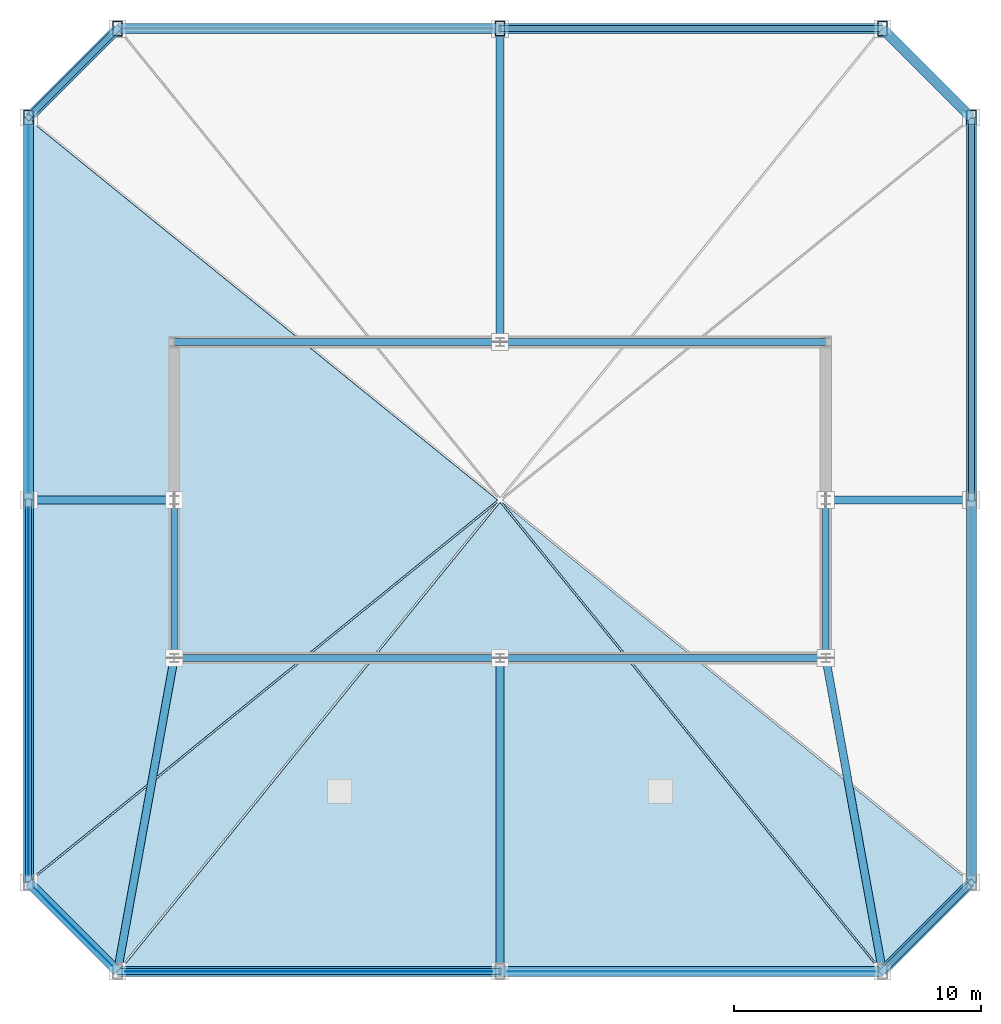
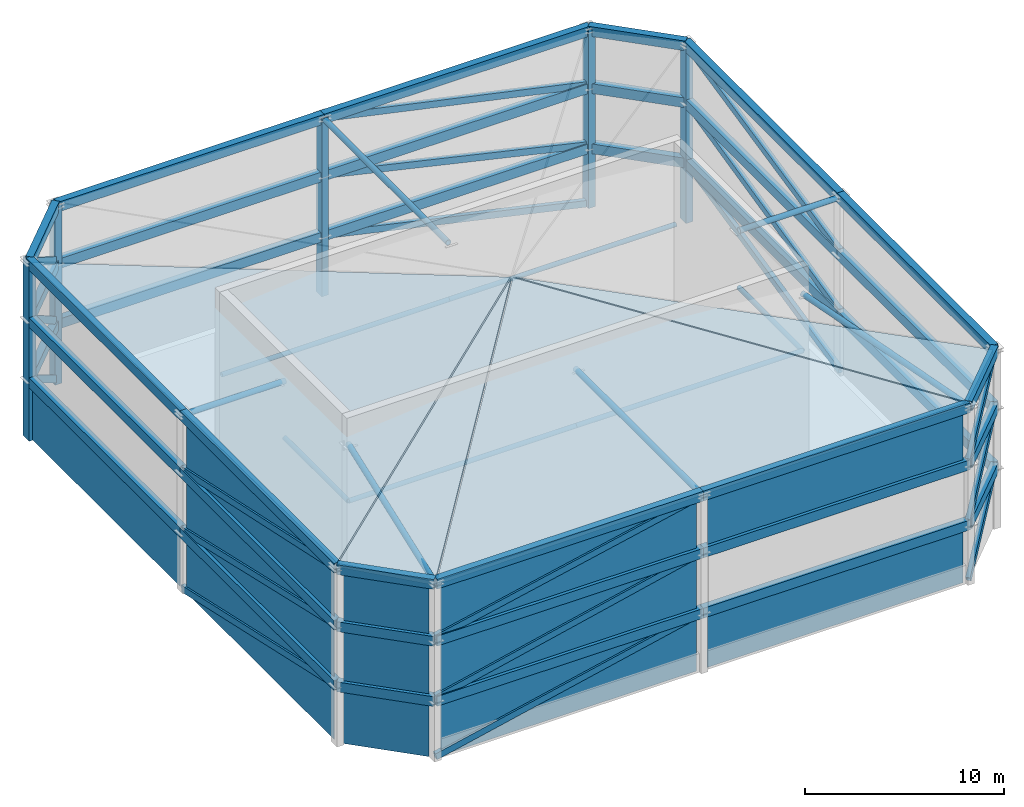
# One storey, part 3 of 6: 36 beams, 30 members, 12 plates, 5 columns, 4 slabs.
"""IFC4 building model written with IfcOpenShell, lengths in metres."""

import ifcopenshell
import ifcopenshell.guid

model = None  # the IFC model being written
_history = None  # IfcOwnerHistory: only IFC2X3 demands one
_inside = {}  # id of a spatial element -> (the spatial element, [elements in it])
_under = {}  # id of a project, library or spatial element -> (it, [spatial elements below it])
_declared = {}  # id of a project -> (the project, [libraries it declares])
_typed = {}  # id of a type object -> (the type object, [elements of that type])
_made_of = {}  # id of a material, layer set ... -> (it, [elements and type objects made of it])


def new_model(schema):
    """Start an empty IFC model of exactly this schema.

    Asked for "IFC4X3", IfcOpenShell would pick the latest addendum, in which some entities
    have other attributes; the version numbers below select the first issue.
    IFC2X3 requires an IfcOwnerHistory on every rooted entity: one is made here for all.
    """
    global model, _history
    if schema == "IFC4X3":
        model = ifcopenshell.file(schema_version=(4, 3, 0, 0))
    else:
        model = ifcopenshell.file(schema=schema)
    _inside.clear()
    _under.clear()
    _declared.clear()
    _typed.clear()
    _made_of.clear()
    _history = None
    if model.schema == "IFC2X3":
        org = make("IfcOrganization", Name="unknown")
        user = make(
            "IfcPersonAndOrganization",
            ThePerson=make("IfcPerson", FamilyName="unknown"),
            TheOrganization=org,
        )
        app = make(
            "IfcApplication",
            ApplicationDeveloper=org,
            Version="unknown",
            ApplicationFullName="unknown",
            ApplicationIdentifier="unknown",
        )
        _history = make(
            "IfcOwnerHistory",
            OwningUser=user,
            OwningApplication=app,
            ChangeAction="ADDED",
            CreationDate=0,
        )
    return model


def make(cls, **values):
    """One entity of the class cls with the attributes given. An attribute that is None is left unset."""
    return model.create_entity(
        cls, **{name: value for name, value in values.items() if value is not None}
    )


def rooted(cls, **values):
    """An entity with a GlobalId (a new one), such as an element, a storey or a relation."""
    return make(cls, GlobalId=ifcopenshell.guid.new(), OwnerHistory=_history, **values)


def si_unit(unit_type, name, prefix=None):
    """IfcSIUnit, for example si_unit("LENGTHUNIT", "METRE", prefix="MILLI")."""
    return make("IfcSIUnit", UnitType=unit_type, Prefix=prefix, Name=name)


def assignment(units):
    """IfcUnitAssignment: the units of a project."""
    return None if units is None else make("IfcUnitAssignment", Units=units)


def point(xyz):
    """IfcCartesianPoint."""
    return None if xyz is None else make("IfcCartesianPoint", Coordinates=xyz)


def direction(xyz):
    """IfcDirection."""
    return None if xyz is None else make("IfcDirection", DirectionRatios=xyz)


def frame(location, z_axis=None, x_axis=None):
    """IfcAxis2Placement3D, a coordinate frame: its origin and axes. An axis left out is left unset."""
    return make(
        "IfcAxis2Placement3D",
        Location=point(location),
        Axis=direction(z_axis),
        RefDirection=direction(x_axis),
    )


def frame_2d(location, x_axis=None):
    """IfcAxis2Placement2D, a coordinate frame in the plane: its origin and x axis."""
    return make(
        "IfcAxis2Placement2D", Location=point(location), RefDirection=direction(x_axis)
    )


def origin():
    """The frame at (0, 0, 0) with its axes left unset."""
    return frame((0.0, 0.0, 0.0))


def origin_2d():
    """The frame at (0, 0) in the plane with its x axis left unset."""
    return frame_2d((0.0, 0.0))


def place(relative_to, where):
    """IfcLocalPlacement: puts the frame where relative to a parent placement (None: the world)."""
    return make(
        "IfcLocalPlacement", PlacementRelTo=relative_to, RelativePlacement=where
    )


def context(
    kind, dimensions, precision=None, world=None, true_north=None, identifier=None
):
    """IfcGeometricRepresentationContext, for example the 3D "Model" context."""
    return make(
        "IfcGeometricRepresentationContext",
        ContextIdentifier=identifier,
        ContextType=kind,
        CoordinateSpaceDimension=dimensions,
        Precision=precision,
        WorldCoordinateSystem=world,
        TrueNorth=true_north,
    )


def subcontext(parent, identifier, kind, view, scale=None):
    """IfcGeometricRepresentationSubContext, for example "Body" below "Model"."""
    return make(
        "IfcGeometricRepresentationSubContext",
        ContextIdentifier=identifier,
        ContextType=kind,
        ParentContext=parent,
        TargetScale=scale,
        TargetView=view,
    )


def project(units=None, contexts=None):
    """IfcProject with its units and contexts."""
    return rooted(
        "IfcProject",
        Name="project",
        RepresentationContexts=contexts,
        UnitsInContext=assignment(units),
    )


def spatial(cls, under=None, at=None, **own):
    """A site, building, storey or space (cls), placed at a placement, below another one or the project."""
    s = rooted(cls, ObjectPlacement=at, **own)
    if under is not None:
        _under.setdefault(under.id(), (under, []))[1].append(s)
    return s


def polyline(points):
    """IfcPolyline through the points."""
    return make("IfcPolyline", Points=[point(p) for p in points])


def profile(cls, at=None, kind="AREA", **sizes):
    """A parametric profile (cls). Its sizes go by their IFC names, for example OverallWidth=200.0."""
    return make(cls, ProfileType=kind, Position=at, **sizes)


def rectangle(**sizes):
    """IfcRectangleProfileDef."""
    return profile("IfcRectangleProfileDef", **sizes)


def hollow_rectangle(**sizes):
    """IfcRectangleHollowProfileDef."""
    return profile("IfcRectangleHollowProfileDef", **sizes)


def hollow_circle(**sizes):
    """IfcCircleHollowProfileDef."""
    return profile("IfcCircleHollowProfileDef", **sizes)


def outline(outer, holes=None, kind="AREA"):
    """IfcArbitraryClosedProfileDef: a profile drawn as a closed curve; with holes, ...WithVoids."""
    if holes is None:
        return make("IfcArbitraryClosedProfileDef", ProfileType=kind, OuterCurve=outer)
    return make(
        "IfcArbitraryProfileDefWithVoids",
        ProfileType=kind,
        OuterCurve=outer,
        InnerCurves=holes,
    )


def extrude(swept, where, along, depth):
    """IfcExtrudedAreaSolid: the profile swept, set in the frame where, extruded along a direction by depth."""
    return make(
        "IfcExtrudedAreaSolid",
        SweptArea=swept,
        Position=where,
        ExtrudedDirection=direction(along),
        Depth=depth,
    )


def shape(context_of_items, identifier, shape_type, items):
    """IfcShapeRepresentation: the items that make up one representation, for example the "Body"."""
    return make(
        "IfcShapeRepresentation",
        ContextOfItems=context_of_items,
        RepresentationIdentifier=identifier,
        RepresentationType=shape_type,
        Items=items,
    )


def source(mapping_origin, context_of_items, identifier, shape_type, items):
    """IfcRepresentationMap: a shape defined once, which mapped items show again and again."""
    return make(
        "IfcRepresentationMap",
        MappingOrigin=mapping_origin,
        MappedRepresentation=shape(context_of_items, identifier, shape_type, items),
    )


def transform(
    local_origin,
    x_axis=None,
    y_axis=None,
    z_axis=None,
    scale=None,
    scale2=None,
    scale3=None,
    uniform=True,
):
    """IfcCartesianTransformationOperator3D, or its non-uniform kind. x_axis, y_axis, z_axis: its Axis1, 2, 3."""
    if uniform:
        return make(
            "IfcCartesianTransformationOperator3D",
            Axis1=direction(x_axis),
            Axis2=direction(y_axis),
            LocalOrigin=point(local_origin),
            Scale=scale,
            Axis3=direction(z_axis),
        )
    return make(
        "IfcCartesianTransformationOperator3DnonUniform",
        Axis1=direction(x_axis),
        Axis2=direction(y_axis),
        LocalOrigin=point(local_origin),
        Scale=scale,
        Axis3=direction(z_axis),
        Scale2=scale2,
        Scale3=scale3,
    )


def mapped(mapping_source, mapping_target):
    """IfcMappedItem: shows the shape of a source again, moved by a transform."""
    return make(
        "IfcMappedItem", MappingSource=mapping_source, MappingTarget=mapping_target
    )


def material(Name=None, Category=None):
    """IfcMaterial."""
    return make("IfcMaterial", Name=Name, Category=Category)


def layer(
    of_material, thickness, ventilated=None, Name=None, Category=None, Priority=None
):
    """IfcMaterialLayer: one layer of a wall or slab, of a material (None: an air gap)."""
    return make(
        "IfcMaterialLayer",
        Material=of_material,
        LayerThickness=thickness,
        IsVentilated=ventilated,
        Name=Name,
        Category=Category,
        Priority=Priority,
    )


def layer_set(layers, Name=None):
    """IfcMaterialLayerSet."""
    return make("IfcMaterialLayerSet", MaterialLayers=layers, LayerSetName=Name)


def material_profile(
    of_material, cross_section, Name=None, Category=None, Priority=None
):
    """IfcMaterialProfile: a cross section and its material."""
    return make(
        "IfcMaterialProfile",
        Name=Name,
        Material=of_material,
        Profile=cross_section,
        Priority=Priority,
        Category=Category,
    )


def profile_set(profiles, Name=None, composite=None):
    """IfcMaterialProfileSet."""
    return make(
        "IfcMaterialProfileSet",
        Name=Name,
        MaterialProfiles=profiles,
        CompositeProfile=composite,
    )


def made_of(thing, what):
    """Note that an element or type object is made of a material, layer set ...; save() writes the relation."""
    if what is not None:
        _made_of.setdefault(what.id(), (what, []))[1].append(thing)
    return thing


def type_object(cls, material=None, **own):
    """A type object (cls), such as IfcWallType, which elements share."""
    return made_of(rooted(cls, **own), material)


def element(
    cls,
    number,
    at=None,
    inside=None,
    cuts=None,
    type_object=None,
    material=None,
    context=None,
    identifier="Body",
    shape_type=None,
    held_by="IfcProductDefinitionShape",
    body=None,
    shapes=None,
    **own,
):
    """One element of the class cls, such as IfcWall. Its Tag is "e" and its number.

    at: its placement. inside: the storey or other place that contains it. cuts: it is an
    opening in that element (IfcRelVoidsElement). A single representation is given by context,
    identifier, shape_type and body (its items); several are given by shapes. held_by: the class
    of the entity that holds the representations. save() writes the other relations.
    """
    e = rooted(cls, Tag="e%d" % number, ObjectPlacement=at, **own)
    if body is not None:
        shapes = [shape(context, identifier, shape_type, body)]
    if shapes is not None:
        e.Representation = make(held_by, Representations=shapes)
    if inside is not None:
        _inside.setdefault(inside.id(), (inside, []))[1].append(e)
    if cuts is not None:
        rooted(
            "IfcRelVoidsElement", RelatingBuildingElement=cuts, RelatedOpeningElement=e
        )
    if type_object is not None:
        _typed.setdefault(type_object.id(), (type_object, []))[1].append(e)
    return made_of(e, material)


def aggregate(whole, parts):
    """IfcRelAggregates: a whole, such as a stair, and the parts it consists of."""
    return rooted("IfcRelAggregates", RelatingObject=whole, RelatedObjects=parts)


def save(model, path):
    """Write the relations noted so far, then the file.

    IfcRelAggregates (storeys below a building ...), IfcRelContainedInSpatialStructure (elements
    in a storey), IfcRelDefinesByType, IfcRelAssociatesMaterial and IfcRelDeclares: one each for
    every whole, place, type object, material and project.
    """
    for whole, parts in _under.values():
        aggregate(whole, parts)
    for where, things in _inside.values():
        rooted(
            "IfcRelContainedInSpatialStructure",
            RelatedElements=things,
            RelatingStructure=where,
        )
    for kind, things in _typed.values():
        rooted("IfcRelDefinesByType", RelatedObjects=things, RelatingType=kind)
    for what, things in _made_of.values():
        rooted("IfcRelAssociatesMaterial", RelatedObjects=things, RelatingMaterial=what)
    for by, libraries in _declared.values():
        rooted("IfcRelDeclares", RelatingContext=by, RelatedDefinitions=libraries)
    model.write(path)


model = new_model("IFC4")

# Units and contexts
model_context = context("Model", 3, precision=1e-05, world=origin(), true_north=direction((0.0, 1.0)))
body_context = subcontext(model_context, "Body", "Model", "MODEL_VIEW")
ifc_project = project(units=[si_unit("LENGTHUNIT", "METRE"), si_unit("AREAUNIT", "SQUARE_METRE"), si_unit("VOLUMEUNIT", "CUBIC_METRE"), si_unit("PLANEANGLEUNIT", "RADIAN"), si_unit("MASSUNIT", "GRAM", prefix="KILO"), si_unit("THERMODYNAMICTEMPERATUREUNIT", "KELVIN"), si_unit("POWERUNIT", "WATT")], contexts=[model_context])

# Site, building, storey
site_placement = place(None, origin())
site = spatial("IfcSite", under=ifc_project, at=site_placement, CompositionType="ELEMENT")
building_placement = place(site_placement, origin())
building = spatial("IfcBuilding", under=site, at=building_placement, Name="Yuzanri Waterfront Tower", CompositionType="ELEMENT")
storey_placement = place(building_placement, frame((0.0, 0.0, 363.800048828125)))
storey = spatial("IfcBuildingStorey", under=building, at=storey_placement, Name="RF", CompositionType="ELEMENT", Elevation=363.800048828125)

# Columns
ifc_material_1 = material(Name="Steel Q355B", Category="steel")
ifc_material_profile_1 = material_profile(ifc_material_1, hollow_rectangle(XDim=0.39990234375, YDim=0.60009765625, WallThickness=0.02392578125, at=origin_2d()), Name="RHS 600x400x24")
ifc_profile_set_1 = profile_set([ifc_material_profile_1], Name="Steel Q355B")
column_type = type_object("IfcColumnType", Name="Crown Frame Post Q355B RHS 600x400x24", PredefinedType="COLUMN", material=ifc_profile_set_1)
shared_shape_1 = source(origin(), body_context, "Body", "SweptSolid", [
    extrude(hollow_rectangle(XDim=0.39990234375, YDim=0.60009765625, WallThickness=0.02392578125, at=origin_2d()), origin(), (0.0, 0.0, 1.0), 11.0),
])
for number, where, z_axis, x_axis, name in (
    (1, (56.10009765625, 41.300048828125, 0.0), (0.0, 0.0, 1.0), (1.0, 0.0, 0.0), "RF CROWN FRAME Perimeter Post CE3"),
    (2, (52.5, 44.89990234375, 0.0), (0.0, 0.0, 1.0), (1.0, 0.0, 0.0), "RF CROWN FRAME Perimeter Post CN3"),
    (3, (37.0, 44.89990234375, 0.0), (0.0, 0.0, 1.0), (1.0, 0.0, 0.0), "RF CROWN FRAME Perimeter Post CN2"),
    (4, (21.5, 44.89990234375, 0.0), (0.0, 0.0, 1.0), (1.0, 0.0, 0.0), "RF CROWN FRAME Perimeter Post CN1"),
    (5, (17.89990234375, 41.300048828125, 0.0), (0.0, 0.0, 1.0), (1.0, 0.0, 0.0), "RF CROWN FRAME Perimeter Post CW3"),
):
    element("IfcColumn", number, at=place(storey_placement, frame(where, z_axis=z_axis, x_axis=x_axis)), inside=storey, type_object=column_type, Name=name, PredefinedType="COLUMN", context=body_context, shape_type="MappedRepresentation", body=[
        mapped(shared_shape_1, transform((0.0, 0.0, 0.0), scale=1.0)),
    ])

# Beams
ifc_material_2 = material(Name="Steel Q355B", Category="steel")
ifc_material_profile_2 = material_profile(ifc_material_2, hollow_rectangle(XDim=0.39990234375, YDim=0.60009765625, WallThickness=0.02392578125, at=origin_2d()), Name="RHS 600x400x24")
ifc_profile_set_2 = profile_set([ifc_material_profile_2], Name="Steel Q355B")
beam_type = type_object("IfcBeamType", Name="Crown Frame Ring Beam Q355B RHS 600x400x24", PredefinedType="BEAM", material=ifc_profile_set_2)
shared_shape_2 = source(origin(), body_context, "Body", "SweptSolid", [
    extrude(hollow_rectangle(XDim=0.39990234375, YDim=0.60009765625, WallThickness=0.02392578125, at=origin_2d()), origin(), (0.0, 0.0, 1.0), 15.5),
])
for number, where, z_axis, x_axis, name in (
    (6, (21.5, 6.699951171875, 3.599853515625), (1.0, 0.0, 0.0), (0.0, 1.0, 0.0), "RF CROWN FRAME Ring Chord Tier 1 CS1-CS2"),
    (7, (37.0, 6.699951171875, 3.599853515625), (1.0, 0.0, 0.0), (0.0, 1.0, 0.0), "RF CROWN FRAME Ring Chord Tier 1 CS2-CS3"),
    (8, (56.10009765625, 10.300048828125, 3.599853515625), (0.0, 1.0, 0.0), (-1.0, 0.0, 0.0), "RF CROWN FRAME Ring Chord Tier 1 CE1-CE2"),
    (9, (56.10009765625, 25.800048828125, 3.599853515625), (0.0, 1.0, 0.0), (-1.0, 0.0, 0.0), "RF CROWN FRAME Ring Chord Tier 1 CE2-CE3"),
    (10, (52.5, 44.89990234375, 3.599853515625), (-1.0, 0.0, 0.0), (0.0, -1.0, 0.0), "RF CROWN FRAME Ring Chord Tier 1 CN3-CN2"),
    (11, (37.0, 44.89990234375, 3.599853515625), (-1.0, 0.0, 0.0), (0.0, -1.0, 0.0), "RF CROWN FRAME Ring Chord Tier 1 CN2-CN1"),
    (12, (17.89990234375, 41.300048828125, 3.599853515625), (0.0, -1.0, 0.0), (1.0, 0.0, 0.0), "RF CROWN FRAME Ring Chord Tier 1 CW3-CW2"),
    (13, (17.89990234375, 25.800048828125, 3.599853515625), (0.0, -1.0, 0.0), (1.0, 0.0, 0.0), "RF CROWN FRAME Ring Chord Tier 1 CW2-CW1"),
    (14, (21.5, 6.699951171875, 7.300048828125), (1.0, 0.0, 0.0), (0.0, 1.0, 0.0), "RF CROWN FRAME Ring Chord Tier 2 CS1-CS2"),
    (15, (37.0, 6.699951171875, 7.300048828125), (1.0, 0.0, 0.0), (0.0, 1.0, 0.0), "RF CROWN FRAME Ring Chord Tier 2 CS2-CS3"),
    (16, (56.10009765625, 10.300048828125, 7.300048828125), (0.0, 1.0, 0.0), (-1.0, 0.0, 0.0), "RF CROWN FRAME Ring Chord Tier 2 CE1-CE2"),
    (17, (56.10009765625, 25.800048828125, 7.300048828125), (0.0, 1.0, 0.0), (-1.0, 0.0, 0.0), "RF CROWN FRAME Ring Chord Tier 2 CE2-CE3"),
    (18, (52.5, 44.89990234375, 7.300048828125), (-1.0, 0.0, 0.0), (0.0, -1.0, 0.0), "RF CROWN FRAME Ring Chord Tier 2 CN3-CN2"),
    (19, (37.0, 44.89990234375, 7.300048828125), (-1.0, 0.0, 0.0), (0.0, -1.0, 0.0), "RF CROWN FRAME Ring Chord Tier 2 CN2-CN1"),
    (20, (17.89990234375, 41.300048828125, 7.300048828125), (0.0, -1.0, 0.0), (1.0, 0.0, 0.0), "RF CROWN FRAME Ring Chord Tier 2 CW3-CW2"),
    (21, (17.89990234375, 25.800048828125, 7.300048828125), (0.0, -1.0, 0.0), (1.0, 0.0, 0.0), "RF CROWN FRAME Ring Chord Tier 2 CW2-CW1"),
    (22, (21.5, 6.699951171875, 10.800048828125), (1.0, 0.0, 0.0), (0.0, 1.0, 0.0), "RF CROWN FRAME Ring Chord Tier 3 CS1-CS2"),
    (23, (37.0, 6.699951171875, 10.800048828125), (1.0, 0.0, 0.0), (0.0, 1.0, 0.0), "RF CROWN FRAME Ring Chord Tier 3 CS2-CS3"),
    (24, (56.10009765625, 10.300048828125, 10.800048828125), (0.0, 1.0, 0.0), (-1.0, 0.0, 0.0), "RF CROWN FRAME Ring Chord Tier 3 CE1-CE2"),
    (25, (56.10009765625, 25.800048828125, 10.800048828125), (0.0, 1.0, 0.0), (-1.0, 0.0, 0.0), "RF CROWN FRAME Ring Chord Tier 3 CE2-CE3"),
    (26, (52.5, 44.89990234375, 10.800048828125), (-1.0, 0.0, 0.0), (0.0, -1.0, 0.0), "RF CROWN FRAME Ring Chord Tier 3 CN3-CN2"),
    (27, (37.0, 44.89990234375, 10.800048828125), (-1.0, 0.0, 0.0), (0.0, -1.0, 0.0), "RF CROWN FRAME Ring Chord Tier 3 CN2-CN1"),
    (28, (17.89990234375, 41.300048828125, 10.800048828125), (0.0, -1.0, 0.0), (1.0, 0.0, 0.0), "RF CROWN FRAME Ring Chord Tier 3 CW3-CW2"),
    (29, (17.89990234375, 25.800048828125, 10.800048828125), (0.0, -1.0, 0.0), (1.0, 0.0, 0.0), "RF CROWN FRAME Ring Chord Tier 3 CW2-CW1"),
):
    element("IfcBeam", number, at=place(storey_placement, frame(where, z_axis=z_axis, x_axis=x_axis)), inside=storey, type_object=beam_type, Name=name, PredefinedType="BEAM", context=body_context, shape_type="MappedRepresentation", body=[
        mapped(shared_shape_2, transform((0.0, 0.0, 0.0), scale=1.0)),
    ])
shared_shape_3 = source(origin(), body_context, "Body", "SweptSolid", [
    extrude(hollow_rectangle(XDim=0.39990234375, YDim=0.60009765625, WallThickness=0.02392578125, at=origin_2d()), origin(), (0.0, 0.0, 1.0), 5.09130859375),
])
for number, where, z_axis, x_axis, name in (
    (30, (52.5, 6.699951171875, 3.599853515625), (0.707106781187, 0.707106781187, 0.0), (-0.707106781187, 0.707106781187, 0.0), "RF CROWN FRAME Ring Chord Tier 1 CS3-CE1"),
    (31, (17.89990234375, 10.300048828125, 3.599853515625), (0.707106781187, -0.707106781187, 0.0), (0.707106781187, 0.707106781187, 0.0), "RF CROWN FRAME Ring Chord Tier 1 CW1-CS1"),
    (32, (52.5, 6.699951171875, 7.300048828125), (0.707106781187, 0.707106781187, 0.0), (-0.707106781187, 0.707106781187, 0.0), "RF CROWN FRAME Ring Chord Tier 2 CS3-CE1"),
    (33, (17.89990234375, 10.300048828125, 7.300048828125), (0.707106781187, -0.707106781187, 0.0), (0.707106781187, 0.707106781187, 0.0), "RF CROWN FRAME Ring Chord Tier 2 CW1-CS1"),
    (34, (52.5, 6.699951171875, 10.800048828125), (0.707106781187, 0.707106781187, 0.0), (-0.707106781187, 0.707106781187, 0.0), "RF CROWN FRAME Ring Chord Tier 3 CS3-CE1"),
    (35, (17.89990234375, 10.300048828125, 10.800048828125), (0.707106781187, -0.707106781187, 0.0), (0.707106781187, 0.707106781187, 0.0), "RF CROWN FRAME Ring Chord Tier 3 CW1-CS1"),
):
    element("IfcBeam", number, at=place(storey_placement, frame(where, z_axis=z_axis, x_axis=x_axis)), inside=storey, type_object=beam_type, Name=name, PredefinedType="BEAM", context=body_context, shape_type="MappedRepresentation", body=[
        mapped(shared_shape_3, transform((0.0, 0.0, 0.0), scale=1.0)),
    ])
shared_shape_4 = source(origin(), body_context, "Body", "SweptSolid", [
    extrude(hollow_rectangle(XDim=0.39990234375, YDim=0.60009765625, WallThickness=0.02392578125, at=origin_2d()), origin(), (0.0, 0.0, 1.0), 5.091064453125),
])
for number, where, z_axis, x_axis, name in (
    (36, (56.10009765625, 41.300048828125, 3.599853515625), (-0.707130757816, 0.707082803744, 0.0), (-0.707082803744, -0.707130757816, 0.0), "RF CROWN FRAME Ring Chord Tier 1 CE3-CN3"),
    (37, (21.5, 44.89990234375, 3.599853515625), (-0.707130757816, -0.707082803744, 0.0), (0.707082803744, -0.707130757816, 0.0), "RF CROWN FRAME Ring Chord Tier 1 CN1-CW3"),
    (38, (56.10009765625, 41.300048828125, 7.300048828125), (-0.707130757816, 0.707082803744, 0.0), (-0.707082803744, -0.707130757816, 0.0), "RF CROWN FRAME Ring Chord Tier 2 CE3-CN3"),
    (39, (21.5, 44.89990234375, 7.300048828125), (-0.707130757816, -0.707082803744, 0.0), (0.707082803744, -0.707130757816, 0.0), "RF CROWN FRAME Ring Chord Tier 2 CN1-CW3"),
    (40, (56.10009765625, 41.300048828125, 10.800048828125), (-0.707130757816, 0.707082803744, 0.0), (-0.707082803744, -0.707130757816, 0.0), "RF CROWN FRAME Ring Chord Tier 3 CE3-CN3"),
    (41, (21.5, 44.89990234375, 10.800048828125), (-0.707130757816, -0.707082803744, 0.0), (0.707082803744, -0.707130757816, 0.0), "RF CROWN FRAME Ring Chord Tier 3 CN1-CW3"),
):
    element("IfcBeam", number, at=place(storey_placement, frame(where, z_axis=z_axis, x_axis=x_axis)), inside=storey, type_object=beam_type, Name=name, PredefinedType="BEAM", context=body_context, shape_type="MappedRepresentation", body=[
        mapped(shared_shape_4, transform((0.0, 0.0, 0.0), scale=1.0)),
    ])

# Members
ifc_material_3 = material(Name="Steel Q355B", Category="steel")
ifc_material_profile_3 = material_profile(ifc_material_3, hollow_circle(Radius=0.16259765625, WallThickness=0.011962890625, at=origin_2d()), Name="CHS 325x12")
ifc_profile_set_3 = profile_set([ifc_material_profile_3], Name="Steel Q355B")
member_type_1 = type_object("IfcMemberType", Name="Crown Radial Strut Q355B CHS 325x12", PredefinedType="STRUT", material=ifc_profile_set_3)
shared_shape_5 = source(origin(), body_context, "Body", "SweptSolid", [
    extrude(hollow_circle(Radius=0.16259765625, WallThickness=0.011962890625, at=origin_2d()), origin(), (0.0, 0.0, 1.0), 12.699951171875),
])
for number, where, z_axis, x_axis, name in (
    (42, (37.0, 6.699951171875, 10.800048828125), (0.0, 1.0, 0.0), (-1.0, 0.0, 0.0), "RF CROWN FRAME Radial Strut S"),
    (43, (37.0, 44.89990234375, 10.800048828125), (0.0, -1.0, 0.0), (1.0, 0.0, 0.0), "RF CROWN FRAME Radial Strut N"),
):
    element("IfcMember", number, at=place(storey_placement, frame(where, z_axis=z_axis, x_axis=x_axis)), inside=storey, type_object=member_type_1, Name=name, PredefinedType="STRUT", context=body_context, shape_type="MappedRepresentation", body=[
        mapped(shared_shape_5, transform((0.0, 0.0, 0.0), scale=1.0)),
    ])
shared_shape_6 = source(origin(), body_context, "Body", "SweptSolid", [
    extrude(hollow_circle(Radius=0.16259765625, WallThickness=0.011962890625, at=origin_2d()), origin(), (0.0, 0.0, 1.0), 5.900146484375),
])
for number, where, z_axis, x_axis, name in (
    (44, (17.89990234375, 25.800048828125, 10.800048828125), (1.0, 0.0, 0.0), (0.0, 1.0, 0.0), "RF CROWN FRAME Radial Strut W"),
    (45, (56.10009765625, 25.800048828125, 10.800048828125), (-1.0, 0.0, 0.0), (0.0, -1.0, 0.0), "RF CROWN FRAME Radial Strut E"),
):
    element("IfcMember", number, at=place(storey_placement, frame(where, z_axis=z_axis, x_axis=x_axis)), inside=storey, type_object=member_type_1, Name=name, PredefinedType="STRUT", context=body_context, shape_type="MappedRepresentation", body=[
        mapped(shared_shape_6, transform((0.0, 0.0, 0.0), scale=1.0)),
    ])
shared_shape_7 = source(origin(), body_context, "Body", "SweptSolid", [
    extrude(hollow_circle(Radius=0.16259765625, WallThickness=0.011962890625, at=origin_2d()), origin(), (0.0, 0.0, 1.0), 12.906494140625),
])
for number, where, z_axis, x_axis, name in (
    (46, (21.5, 6.699951171875, 10.800048828125), (0.178207899331, 0.983992858011, 0.0), (-0.983992858011, 0.178207899331, 0.0), "RF CROWN FRAME Radial Strut SW"),
    (47, (52.5, 6.699951171875, 10.800048828125), (-0.178207899331, 0.983992858011, 0.0), (-0.983992858011, -0.178207899331, 0.0), "RF CROWN FRAME Radial Strut SE"),
):
    element("IfcMember", number, at=place(storey_placement, frame(where, z_axis=z_axis, x_axis=x_axis)), inside=storey, type_object=member_type_1, Name=name, PredefinedType="STRUT", context=body_context, shape_type="MappedRepresentation", body=[
        mapped(shared_shape_7, transform((0.0, 0.0, 0.0), scale=1.0)),
    ])
ifc_material_4 = material(Name="Steel Q355B", Category="steel")
ifc_material_profile_4 = material_profile(ifc_material_4, hollow_rectangle(XDim=0.25, YDim=0.39990234375, WallThickness=0.01611328125, at=origin_2d()), Name="RHS 400x250x16")
ifc_profile_set_4 = profile_set([ifc_material_profile_4], Name="Steel Q355B")
member_type_2 = type_object("IfcMemberType", Name="Crown Frame Diagonal Q355B RHS 400x250x16", PredefinedType="USERDEFINED", material=ifc_profile_set_4)
shared_shape_8 = source(origin(), body_context, "Body", "SweptSolid", [
    extrude(hollow_rectangle(XDim=0.25, YDim=0.39990234375, WallThickness=0.01611328125, at=origin_2d()), origin(), (0.0, 0.0, 1.0), 15.87939453125),
])
for number, where, z_axis, x_axis, name in (
    (48, (21.5, 6.699951171875, 0.14990234375), (0.976113567098, 0.0, 0.217260912561), (0.0, 1.0, 0.0), "RF CROWN FRAME Diagonal Tier 1 CS1"),
    (49, (56.10009765625, 25.800048828125, 0.14990234375), (0.0, 0.976113567098, 0.217260912561), (-1.0, 0.0, 0.0), "RF CROWN FRAME Diagonal Tier 1 CE2"),
    (50, (52.5, 44.89990234375, 0.14990234375), (-0.976113567098, 0.0, 0.217260912561), (0.0, -1.0, 0.0), "RF CROWN FRAME Diagonal Tier 1 CN3"),
    (51, (17.89990234375, 25.800048828125, 0.14990234375), (0.0, -0.976113567098, 0.217260912561), (1.0, 0.0, 0.0), "RF CROWN FRAME Diagonal Tier 1 CW2"),
):
    element("IfcMember", number, at=place(storey_placement, frame(where, z_axis=z_axis, x_axis=x_axis)), inside=storey, type_object=member_type_2, Name=name, ObjectType="CROWN FRAME", PredefinedType="USERDEFINED", context=body_context, shape_type="MappedRepresentation", body=[
        mapped(shared_shape_8, transform((0.0, 0.0, 0.0), scale=1.0)),
    ])
shared_shape_9 = source(origin(), body_context, "Body", "SweptSolid", [
    extrude(hollow_rectangle(XDim=0.25, YDim=0.39990234375, WallThickness=0.01611328125, at=origin_2d()), origin(), (0.0, 0.0, 1.0), 6.150146484375),
])
member_1_placement = place(storey_placement, frame((52.5, 6.699951171875, 0.14990234375), z_axis=(0.585373457636, 0.585373457636, 0.560959740259), x_axis=(-0.707106781187, 0.707106781187, 0.0)))
element("IfcMember", 52, at=member_1_placement, inside=storey, type_object=member_type_2, Name="RF CROWN FRAME Diagonal Tier 1 CS3", ObjectType="CROWN FRAME", PredefinedType="USERDEFINED", context=body_context, shape_type="MappedRepresentation", body=[
    mapped(shared_shape_9, transform((0.0, 0.0, 0.0), scale=1.0)),
])
shared_shape_10 = source(origin(), body_context, "Body", "SweptSolid", [
    extrude(hollow_rectangle(XDim=0.25, YDim=0.39990234375, WallThickness=0.01611328125, at=origin_2d()), origin(), (0.0, 0.0, 1.0), 6.14990234375),
])
member_2_placement = place(storey_placement, frame((21.5, 44.89990234375, 0.14990234375), z_axis=(-0.58538706034, -0.585347362316, 0.560972775645), x_axis=(0.707082803744, -0.707130757816, 0.0)))
element("IfcMember", 53, at=member_2_placement, inside=storey, type_object=member_type_2, Name="RF CROWN FRAME Diagonal Tier 1 CN1", ObjectType="CROWN FRAME", PredefinedType="USERDEFINED", context=body_context, shape_type="MappedRepresentation", body=[
    mapped(shared_shape_10, transform((0.0, 0.0, 0.0), scale=1.0)),
])
shared_shape_11 = source(origin(), body_context, "Body", "SweptSolid", [
    extrude(hollow_rectangle(XDim=0.25, YDim=0.39990234375, WallThickness=0.01611328125, at=origin_2d()), origin(), (0.0, 0.0, 1.0), 15.9013671875),
])
for number, where, z_axis, x_axis, name in (
    (54, (21.5, 6.699951171875, 3.75), (0.974760168764, 0.0, 0.223254593214), (0.0, 1.0, 0.0), "RF CROWN FRAME Diagonal Tier 2 CS1"),
    (55, (56.10009765625, 25.800048828125, 3.75), (0.0, 0.974760168764, 0.223254593214), (-1.0, 0.0, 0.0), "RF CROWN FRAME Diagonal Tier 2 CE2"),
    (56, (52.5, 44.89990234375, 3.75), (-0.974760168764, 0.0, 0.223254593214), (0.0, -1.0, 0.0), "RF CROWN FRAME Diagonal Tier 2 CN3"),
    (57, (17.89990234375, 25.800048828125, 3.75), (0.0, -0.974760168764, 0.223254593214), (1.0, 0.0, 0.0), "RF CROWN FRAME Diagonal Tier 2 CW2"),
):
    element("IfcMember", number, at=place(storey_placement, frame(where, z_axis=z_axis, x_axis=x_axis)), inside=storey, type_object=member_type_2, Name=name, ObjectType="CROWN FRAME", PredefinedType="USERDEFINED", context=body_context, shape_type="MappedRepresentation", body=[
        mapped(shared_shape_11, transform((0.0, 0.0, 0.0), scale=1.0)),
    ])
shared_shape_12 = source(origin(), body_context, "Body", "SweptSolid", [
    extrude(hollow_rectangle(XDim=0.25, YDim=0.39990234375, WallThickness=0.01611328125, at=origin_2d()), origin(), (0.0, 0.0, 1.0), 6.206787109375),
])
member_3_placement = place(storey_placement, frame((52.5, 6.699951171875, 3.75), z_axis=(0.580025608957, 0.580025608957, 0.571962049359), x_axis=(-0.707106781187, 0.707106781187, 0.0)))
element("IfcMember", 58, at=member_3_placement, inside=storey, type_object=member_type_2, Name="RF CROWN FRAME Diagonal Tier 2 CS3", ObjectType="CROWN FRAME", PredefinedType="USERDEFINED", context=body_context, shape_type="MappedRepresentation", body=[
    mapped(shared_shape_12, transform((0.0, 0.0, 0.0), scale=1.0)),
])
shared_shape_13 = source(origin(), body_context, "Body", "SweptSolid", [
    extrude(hollow_rectangle(XDim=0.25, YDim=0.39990234375, WallThickness=0.01611328125, at=origin_2d()), origin(), (0.0, 0.0, 1.0), 6.20654296875),
])
member_4_placement = place(storey_placement, frame((21.5, 44.89990234375, 3.75), z_axis=(-0.580038842235, -0.5799995069, 0.571975098666), x_axis=(0.707082803744, -0.707130757816, 0.0)))
element("IfcMember", 59, at=member_4_placement, inside=storey, type_object=member_type_2, Name="RF CROWN FRAME Diagonal Tier 2 CN1", ObjectType="CROWN FRAME", PredefinedType="USERDEFINED", context=body_context, shape_type="MappedRepresentation", body=[
    mapped(shared_shape_13, transform((0.0, 0.0, 0.0), scale=1.0)),
])
shared_shape_14 = source(origin(), body_context, "Body", "SweptSolid", [
    extrude(hollow_rectangle(XDim=0.25, YDim=0.39990234375, WallThickness=0.01611328125, at=origin_2d()), origin(), (0.0, 0.0, 1.0), 15.85791015625),
])
for number, where, z_axis, x_axis, name in (
    (60, (21.5, 6.699951171875, 7.449951171875), (0.977430492727, 0.0, 0.211257264699), (0.0, 1.0, 0.0), "RF CROWN FRAME Diagonal Tier 3 CS1"),
    (61, (56.10009765625, 25.800048828125, 7.449951171875), (0.0, 0.977430492727, 0.211257264699), (-1.0, 0.0, 0.0), "RF CROWN FRAME Diagonal Tier 3 CE2"),
    (62, (52.5, 44.89990234375, 7.449951171875), (-0.977430492727, 0.0, 0.211257264699), (0.0, -1.0, 0.0), "RF CROWN FRAME Diagonal Tier 3 CN3"),
    (63, (17.89990234375, 25.800048828125, 7.449951171875), (0.0, -0.977430492727, 0.211257264699), (1.0, 0.0, 0.0), "RF CROWN FRAME Diagonal Tier 3 CW2"),
):
    element("IfcMember", number, at=place(storey_placement, frame(where, z_axis=z_axis, x_axis=x_axis)), inside=storey, type_object=member_type_2, Name=name, ObjectType="CROWN FRAME", PredefinedType="USERDEFINED", context=body_context, shape_type="MappedRepresentation", body=[
        mapped(shared_shape_14, transform((0.0, 0.0, 0.0), scale=1.0)),
    ])
shared_shape_15 = source(origin(), body_context, "Body", "SweptSolid", [
    extrude(hollow_rectangle(XDim=0.25, YDim=0.39990234375, WallThickness=0.01611328125, at=origin_2d()), origin(), (0.0, 0.0, 1.0), 6.0947265625),
])
member_5_placement = place(storey_placement, frame((52.5, 6.699951171875, 7.449951171875), z_axis=(0.590699589594, 0.590699589594, 0.549679897492), x_axis=(-0.707106781187, 0.707106781187, 0.0)))
element("IfcMember", 64, at=member_5_placement, inside=storey, type_object=member_type_2, Name="RF CROWN FRAME Diagonal Tier 3 CS3", ObjectType="CROWN FRAME", PredefinedType="USERDEFINED", context=body_context, shape_type="MappedRepresentation", body=[
    mapped(shared_shape_15, transform((0.0, 0.0, 0.0), scale=1.0)),
])
shared_shape_16 = source(origin(), body_context, "Body", "SweptSolid", [
    extrude(hollow_rectangle(XDim=0.25, YDim=0.39990234375, WallThickness=0.01611328125, at=origin_2d()), origin(), (0.0, 0.0, 1.0), 6.094482421875),
])
member_6_placement = place(storey_placement, frame((21.5, 44.89990234375, 7.449951171875), z_axis=(-0.590713566997, -0.590673507756, 0.549692904267), x_axis=(0.707082803744, -0.707130757816, 0.0)))
element("IfcMember", 65, at=member_6_placement, inside=storey, type_object=member_type_2, Name="RF CROWN FRAME Diagonal Tier 3 CN1", ObjectType="CROWN FRAME", PredefinedType="USERDEFINED", context=body_context, shape_type="MappedRepresentation", body=[
    mapped(shared_shape_16, transform((0.0, 0.0, 0.0), scale=1.0)),
])
ifc_material_5 = material(Name="Steel Q355B", Category="steel")
ifc_material_profile_5 = material_profile(ifc_material_5, hollow_circle(Radius=0.136474609375, WallThickness=0.010009765625, at=origin_2d()), Name="CHS 273x10")
ifc_profile_set_5 = profile_set([ifc_material_profile_5], Name="Steel Q355B")
member_type_3 = type_object("IfcMemberType", Name="Crown Upper Tie Strut Q355B CHS 273x10", PredefinedType="STRUT", material=ifc_profile_set_5)
shared_shape_17 = source(origin(), body_context, "Body", "SweptSolid", [
    extrude(hollow_circle(Radius=0.136474609375, WallThickness=0.010009765625, at=origin_2d()), origin(), (0.0, 0.0, 1.0), 13.199951171875),
])
for number, where, z_axis, x_axis, name in (
    (66, (23.800048828125, 19.39990234375, 7.300048828125), (1.0, 0.0, 0.0), (0.0, 1.0, 0.0), "RF Crown Core Collar Tie 1"),
    (67, (37.0, 19.39990234375, 7.300048828125), (1.0, 0.0, 0.0), (0.0, 1.0, 0.0), "RF Crown Core Collar Tie 2"),
    (68, (23.800048828125, 32.199951171875, 7.300048828125), (1.0, 0.0, 0.0), (0.0, 1.0, 0.0), "RF Crown Core Collar Tie 3"),
    (69, (37.0, 32.199951171875, 7.300048828125), (1.0, 0.0, 0.0), (0.0, 1.0, 0.0), "RF Crown Core Collar Tie 4"),
):
    element("IfcMember", number, at=place(storey_placement, frame(where, z_axis=z_axis, x_axis=x_axis)), inside=storey, type_object=member_type_3, Name=name, PredefinedType="STRUT", context=body_context, shape_type="MappedRepresentation", body=[
        mapped(shared_shape_17, transform((0.0, 0.0, 0.0), scale=1.0)),
    ])
shared_shape_18 = source(origin(), body_context, "Body", "SweptSolid", [
    extrude(hollow_circle(Radius=0.136474609375, WallThickness=0.010009765625, at=origin_2d()), origin(), (0.0, 0.0, 1.0), 6.400146484375),
])
for number, where, z_axis, x_axis, name in (
    (70, (23.800048828125, 19.39990234375, 7.300048828125), (0.0, 1.0, 0.0), (-1.0, 0.0, 0.0), "RF Crown Core Collar Tie 5"),
    (71, (50.199951171875, 19.39990234375, 7.300048828125), (0.0, 1.0, 0.0), (-1.0, 0.0, 0.0), "RF Crown Core Collar Tie 6"),
):
    element("IfcMember", number, at=place(storey_placement, frame(where, z_axis=z_axis, x_axis=x_axis)), inside=storey, type_object=member_type_3, Name=name, PredefinedType="STRUT", context=body_context, shape_type="MappedRepresentation", body=[
        mapped(shared_shape_18, transform((0.0, 0.0, 0.0), scale=1.0)),
    ])

# Slabs
ifc_material_6 = material(Name="Precast Concrete C45", Category="concrete")
ifc_layer_1 = layer(ifc_material_6, 0.260009765625)
ifc_layer_set_1 = layer_set([ifc_layer_1], Name="Precast Concrete C45")
slab_type = type_object("IfcSlabType", Name="Precast Concrete C45 Undulating Closed Lobed Crest Roof Slab 260", PredefinedType="ROOF", material=ifc_layer_set_1)
slab_1_placement = place(storey_placement, frame((21.6240234375, 6.7509765625, 10.80517578125), z_axis=(-0.006428881726, -0.08865383772, 0.996041749395), x_axis=(0.999979170818, 0.0, 0.006454295537)))
element("IfcSlab", 72, at=slab_1_placement, inside=storey, type_object=slab_type, Name="RF Closed Lobed Crest Roof Facet 01", PredefinedType="ROOF", context=body_context, shape_type="SweptSolid", body=[
    extrude(outline(polyline([(0.0, 0.0), (30.752593676382, 0.0), (15.387181371009286, 19.0219203611929), (0.0, 0.0)])), origin(), (0.0, 0.0, -1.0), 0.260009765625),
])
slab_2_placement = place(storey_placement, frame((52.46826171875, 6.760498046875, 11.003662109375), z_axis=(0.076678168555, -0.021276072048, 0.996828865566), x_axis=(0.706561358138, 0.706561358138, -0.039269509445)))
element("IfcSlab", 73, at=slab_2_placement, inside=storey, type_object=slab_type, Name="RF Closed Lobed Crest Roof Facet 02", PredefinedType="ROOF", context=body_context, shape_type="SweptSolid", body=[
    extrude(outline(polyline([(0.0, 0.0), (5.054464161344583, 2.1510571102112408e-16), (2.4610079262549056, 24.328625959217543), (0.0, 0.0)])), origin(), (0.0, 0.0, -1.0), 0.260009765625),
])
slab_3_placement = place(storey_placement, frame((17.950927734375, 41.176025390625, 10.80517578125), z_axis=(-0.088652704369, 0.006428882377, 0.996041850265), x_axis=(0.0, -0.999979170818, 0.006454295537)))
element("IfcSlab", 74, at=slab_3_placement, inside=storey, type_object=slab_type, Name="RF Closed Lobed Crest Roof Facet 07", PredefinedType="ROOF", context=body_context, shape_type="SweptSolid", body=[
    extrude(outline(polyline([(0.0, 0.0), (30.752593676382, 0.0), (15.387181371009286, 19.022163540525668), (0.0, 0.0)])), origin(), (0.0, 0.0, -1.0), 0.260009765625),
])
slab_4_placement = place(storey_placement, frame((17.96044921875, 10.331787109375, 11.003662109375), z_axis=(-0.021276072048, -0.076678168555, 0.996828865566), x_axis=(0.706561358138, -0.706561358138, -0.039269509445)))
element("IfcSlab", 75, at=slab_4_placement, inside=storey, type_object=slab_type, Name="RF Closed Lobed Crest Roof Facet 08", PredefinedType="ROOF", context=body_context, shape_type="SweptSolid", body=[
    extrude(outline(polyline([(0.0, 0.0), (5.054464161344583, 2.1510571102112408e-16), (2.4610079262549056, 24.328625959217543), (0.0, 0.0)])), origin(), (0.0, 0.0, -1.0), 0.260009765625),
])

# Plates
ifc_material_7 = material(Name="Anodized Architectural Bronze", Category="metal")
ifc_layer_2 = layer(ifc_material_7, 0.01806640625)
ifc_layer_set_2 = layer_set([ifc_layer_2], Name="Anodized Architectural Bronze")
plate_type = type_object("IfcPlateType", Name="Perforated Bronze Crown Acoustic Screen Panel 18", PredefinedType="SHEET", material=ifc_layer_set_2)
shared_shape_19 = source(origin(), body_context, "Body", "SweptSolid", [
    extrude(rectangle(XDim=14.860107421875, YDim=0.01806640625, at=origin_2d()), origin(), (0.0, 0.0, 1.0), 3.52001953125),
])
for number, where, z_axis, x_axis, name in (
    (76, (29.25, 6.699951171875, 0.0400390625), (0.0, 0.0, 1.0), (1.0, 0.0, 0.0), "RF Crown Perforated Bronze Screen Tier 1 CS1-CS2"),
    (77, (44.75, 6.699951171875, 0.0400390625), (0.0, 0.0, 1.0), (1.0, 0.0, 0.0), "RF Crown Perforated Bronze Screen Tier 1 CS2-CS3"),
    (78, (17.89990234375, 33.550048828125, 0.0400390625), (0.0, 0.0, 1.0), (0.0, -1.0, 0.0), "RF Crown Perforated Bronze Screen Tier 1 CW3-CW2"),
    (79, (17.89990234375, 18.050048828125, 0.0400390625), (0.0, 0.0, 1.0), (0.0, -1.0, 0.0), "RF Crown Perforated Bronze Screen Tier 1 CW2-CW1"),
):
    element("IfcPlate", number, at=place(storey_placement, frame(where, z_axis=z_axis, x_axis=x_axis)), inside=storey, type_object=plate_type, Name=name, PredefinedType="SHEET", context=body_context, shape_type="MappedRepresentation", body=[
        mapped(shared_shape_19, transform((0.0, 0.0, 0.0), scale=1.0)),
    ])
shared_shape_20 = source(origin(), body_context, "Body", "SweptSolid", [
    extrude(rectangle(XDim=4.451171875, YDim=0.01806640625, at=origin_2d()), origin(), (0.0, 0.0, 1.0), 3.52001953125),
])
plate_1_placement = place(storey_placement, frame((19.699951171875, 8.5, 0.0400390625), z_axis=(0.0, 0.0, 1.0), x_axis=(0.707106781187, -0.707106781187, 0.0)))
element("IfcPlate", 80, at=plate_1_placement, inside=storey, type_object=plate_type, Name="RF Crown Perforated Bronze Screen Tier 1 CW1-CS1", PredefinedType="SHEET", context=body_context, shape_type="MappedRepresentation", body=[
    mapped(shared_shape_20, transform((0.0, 0.0, 0.0), scale=1.0)),
])
shared_shape_21 = source(origin(), body_context, "Body", "SweptSolid", [
    extrude(rectangle(XDim=14.860107421875, YDim=0.01806640625, at=origin_2d()), origin(), (0.0, 0.0, 1.0), 3.6201171875),
])
for number, where, z_axis, x_axis, name in (
    (81, (29.25, 6.699951171875, 3.639892578125), (0.0, 0.0, 1.0), (1.0, 0.0, 0.0), "RF Crown Perforated Bronze Screen Tier 2 CS1-CS2"),
    (82, (17.89990234375, 18.050048828125, 3.639892578125), (0.0, 0.0, 1.0), (0.0, -1.0, 0.0), "RF Crown Perforated Bronze Screen Tier 2 CW2-CW1"),
):
    element("IfcPlate", number, at=place(storey_placement, frame(where, z_axis=z_axis, x_axis=x_axis)), inside=storey, type_object=plate_type, Name=name, PredefinedType="SHEET", context=body_context, shape_type="MappedRepresentation", body=[
        mapped(shared_shape_21, transform((0.0, 0.0, 0.0), scale=1.0)),
    ])
shared_shape_22 = source(origin(), body_context, "Body", "SweptSolid", [
    extrude(rectangle(XDim=4.451171875, YDim=0.01806640625, at=origin_2d()), origin(), (0.0, 0.0, 1.0), 3.6201171875),
])
plate_2_placement = place(storey_placement, frame((19.699951171875, 8.5, 3.639892578125), z_axis=(0.0, 0.0, 1.0), x_axis=(0.707106781187, -0.707106781187, 0.0)))
element("IfcPlate", 83, at=plate_2_placement, inside=storey, type_object=plate_type, Name="RF Crown Perforated Bronze Screen Tier 2 CW1-CS1", PredefinedType="SHEET", context=body_context, shape_type="MappedRepresentation", body=[
    mapped(shared_shape_22, transform((0.0, 0.0, 0.0), scale=1.0)),
])
shared_shape_23 = source(origin(), body_context, "Body", "SweptSolid", [
    extrude(rectangle(XDim=14.860107421875, YDim=0.01806640625, at=origin_2d()), origin(), (0.0, 0.0, 1.0), 3.419921875),
])
for number, where, z_axis, x_axis, name in (
    (84, (29.25, 6.699951171875, 7.340087890625), (0.0, 0.0, 1.0), (1.0, 0.0, 0.0), "RF Crown Perforated Bronze Screen Tier 3 CS1-CS2"),
    (85, (44.75, 6.699951171875, 7.340087890625), (0.0, 0.0, 1.0), (1.0, 0.0, 0.0), "RF Crown Perforated Bronze Screen Tier 3 CS2-CS3"),
    (86, (17.89990234375, 18.050048828125, 7.340087890625), (0.0, 0.0, 1.0), (0.0, -1.0, 0.0), "RF Crown Perforated Bronze Screen Tier 3 CW2-CW1"),
):
    element("IfcPlate", number, at=place(storey_placement, frame(where, z_axis=z_axis, x_axis=x_axis)), inside=storey, type_object=plate_type, Name=name, PredefinedType="SHEET", context=body_context, shape_type="MappedRepresentation", body=[
        mapped(shared_shape_23, transform((0.0, 0.0, 0.0), scale=1.0)),
    ])
shared_shape_24 = source(origin(), body_context, "Body", "SweptSolid", [
    extrude(rectangle(XDim=4.451171875, YDim=0.01806640625, at=origin_2d()), origin(), (0.0, 0.0, 1.0), 3.419921875),
])
plate_3_placement = place(storey_placement, frame((19.699951171875, 8.5, 7.340087890625), z_axis=(0.0, 0.0, 1.0), x_axis=(0.707106781187, -0.707106781187, 0.0)))
element("IfcPlate", 87, at=plate_3_placement, inside=storey, type_object=plate_type, Name="RF Crown Perforated Bronze Screen Tier 3 CW1-CS1", PredefinedType="SHEET", context=body_context, shape_type="MappedRepresentation", body=[
    mapped(shared_shape_24, transform((0.0, 0.0, 0.0), scale=1.0)),
])

save(model, "model.ifc")
